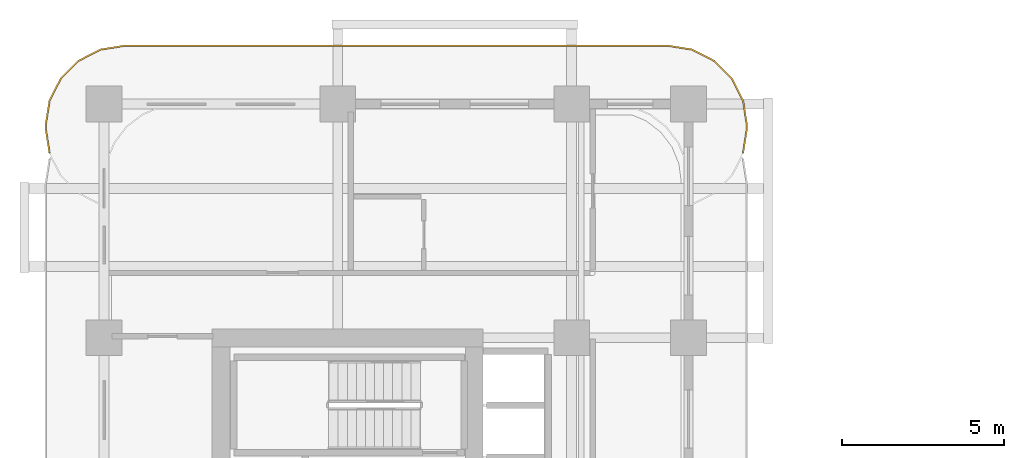
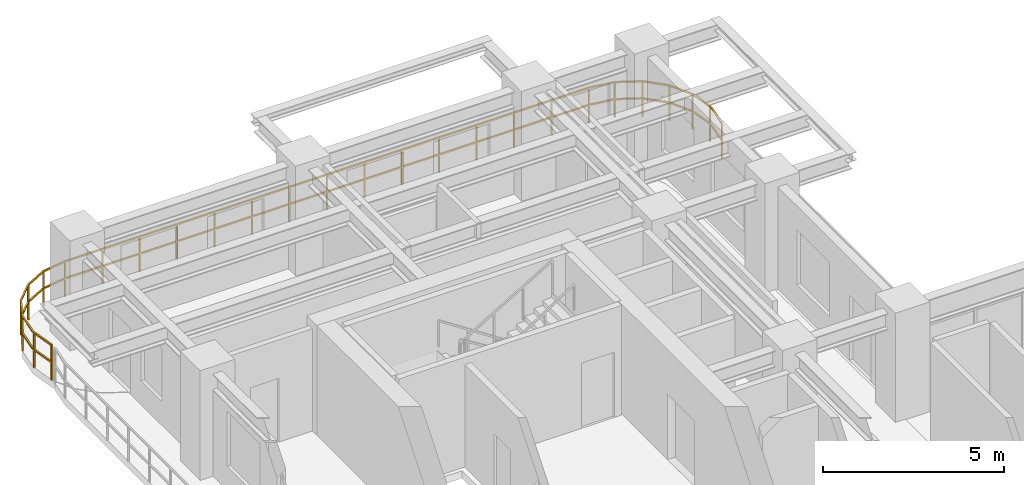
# One storey, part 22 of 22: 1 railing.
"""IFC4 building model written with IfcOpenShell, lengths in metres."""

from ifc_helpers import new_model, si_unit, derived_unit, direction, frame, origin, origin_2d, place, context, subcontext, project, spatial, rectangle, extrude, material, type_object, element, save


model = new_model("IFC4")

# Units and contexts
model_context = context("Model", 3, precision=1e-05, world=origin(), true_north=direction((0.0, 1.0)))
body_context = subcontext(model_context, "Body", "Model", "MODEL_VIEW")
ifc_project = project(units=[si_unit("LENGTHUNIT", "METRE"), si_unit("AREAUNIT", "SQUARE_METRE"), si_unit("VOLUMEUNIT", "CUBIC_METRE"), si_unit("PLANEANGLEUNIT", "RADIAN"), si_unit("MASSUNIT", "GRAM", prefix="KILO"), si_unit("THERMODYNAMICTEMPERATUREUNIT", "KELVIN"), si_unit("POWERUNIT", "WATT"), derived_unit("THERMALTRANSMITTANCEUNIT", [(si_unit("POWERUNIT", "WATT"), 1), (si_unit("AREAUNIT", "SQUARE_METRE"), -1), (si_unit("THERMODYNAMICTEMPERATUREUNIT", "KELVIN"), -1)])], contexts=[model_context])

# Site, building, storey
site_placement = place(None, origin())
site = spatial("IfcSite", under=ifc_project, at=site_placement, CompositionType="ELEMENT")
building_placement = place(site_placement, origin())
building = spatial("IfcBuilding", under=site, at=building_placement, Name="Zahravan Archway Hotel and Residences", CompositionType="ELEMENT")
storey_placement = place(building_placement, frame((0.0, 0.0, 80.5)))
storey = spatial("IfcBuildingStorey", under=building, at=storey_placement, Name="L19", CompositionType="ELEMENT", Elevation=80.5)

# Railing
ifc_material = material(Name="Bronze & Laminated Glass Balustrade", Category="glass")
railing_type = type_object("IfcRailingType", Name="RL-BAL-1200", PredefinedType="BALUSTRADE", material=ifc_material)
railing_placement = place(storey_placement, frame((-1.68017578125, 45.29296875, 0.0)))
element("IfcRailing", 1, at=railing_placement, inside=storey, type_object=railing_type, Name="L19 Balustrade RL-SLB-BAL-L19-NB-1", PredefinedType="BALUSTRADE", context=body_context, shape_type="SweptSolid", body=[
    extrude(rectangle(XDim=0.048095703125, YDim=0.048095703125, at=origin_2d()), frame((0.0, 0.0, 1.17578125), z_axis=(-0.156387811283, 0.987695728695, 0.0), x_axis=(-0.987695728695, -0.156387811283, 0.0)), (0.0, 0.0, 1.0), 0.7666015625),
    extrude(rectangle(XDim=0.048095703125, YDim=0.048095703125, at=origin_2d()), frame((0.0, 0.0, 0.60009765625), z_axis=(-0.156387811283, 0.987695728695, 0.0), x_axis=(-0.987695728695, -0.156387811283, 0.0)), (0.0, 0.0, 1.0), 0.7666015625),
    extrude(rectangle(XDim=0.048095703125, YDim=0.048095703125, at=origin_2d()), frame((-0.119873046875, 0.757080078125, 1.17578125), z_axis=(0.0, 1.0, 0.0), x_axis=(-1.0, 0.0, 0.0)), (0.0, 0.0, 1.0), 0.099853515625),
    extrude(rectangle(XDim=0.048095703125, YDim=0.048095703125, at=origin_2d()), frame((-0.119873046875, 0.757080078125, 0.60009765625), z_axis=(0.0, 1.0, 0.0), x_axis=(-1.0, 0.0, 0.0)), (0.0, 0.0, 1.0), 0.099853515625),
    extrude(rectangle(XDim=0.048095703125, YDim=0.048095703125, at=origin_2d()), frame((-0.119873046875, 0.85693359375, 1.17578125), z_axis=(0.156387811283, 0.987695728695, 0.0), x_axis=(-0.987695728695, 0.156387811283, 0.0)), (0.0, 0.0, 1.0), 0.7666015625),
    extrude(rectangle(XDim=0.048095703125, YDim=0.048095703125, at=origin_2d()), frame((-0.119873046875, 0.85693359375, 0.60009765625), z_axis=(0.156387811283, 0.987695728695, 0.0), x_axis=(-0.987695728695, 0.156387811283, 0.0)), (0.0, 0.0, 1.0), 0.7666015625),
    extrude(rectangle(XDim=0.048095703125, YDim=0.048095703125, at=origin_2d()), frame((0.0, 1.614013671875, 1.17578125), z_axis=(0.454078418624, 0.890961721815, 0.0), x_axis=(-0.890961721815, 0.454078418624, 0.0)), (0.0, 0.0, 1.0), 0.7666015625),
    extrude(rectangle(XDim=0.048095703125, YDim=0.048095703125, at=origin_2d()), frame((0.0, 1.614013671875, 0.60009765625), z_axis=(0.454078418624, 0.890961721815, 0.0), x_axis=(-0.890961721815, 0.454078418624, 0.0)), (0.0, 0.0, 1.0), 0.7666015625),
    extrude(rectangle(XDim=0.048095703125, YDim=0.048095703125, at=origin_2d()), frame((0.34814453125, 2.297119140625, 1.17578125), z_axis=(0.707106781187, 0.707106781187, 0.0), x_axis=(-0.707106781187, 0.707106781187, 0.0)), (0.0, 0.0, 1.0), 0.7666015625),
    extrude(rectangle(XDim=0.048095703125, YDim=0.048095703125, at=origin_2d()), frame((0.34814453125, 2.297119140625, 0.60009765625), z_axis=(0.707106781187, 0.707106781187, 0.0), x_axis=(-0.707106781187, 0.707106781187, 0.0)), (0.0, 0.0, 1.0), 0.7666015625),
    extrude(rectangle(XDim=0.048095703125, YDim=0.048095703125, at=origin_2d()), frame((0.89013671875, 2.839111328125, 1.17578125), z_axis=(0.891024909783, 0.453954414172, 0.0), x_axis=(-0.453954414172, 0.891024909783, 0.0)), (0.0, 0.0, 1.0), 0.766357421875),
    extrude(rectangle(XDim=0.048095703125, YDim=0.048095703125, at=origin_2d()), frame((0.89013671875, 2.839111328125, 0.60009765625), z_axis=(0.891024909783, 0.453954414172, 0.0), x_axis=(-0.453954414172, 0.891024909783, 0.0)), (0.0, 0.0, 1.0), 0.766357421875),
    extrude(rectangle(XDim=0.048095703125, YDim=0.048095703125, at=origin_2d()), frame((1.572998046875, 3.18701171875, 1.17578125), z_axis=(0.987646484274, 0.156698507018, 0.0), x_axis=(-0.156698507018, 0.987646484274, 0.0)), (0.0, 0.0, 1.0), 0.7666015625),
    extrude(rectangle(XDim=0.048095703125, YDim=0.048095703125, at=origin_2d()), frame((1.572998046875, 3.18701171875, 0.60009765625), z_axis=(0.987646484274, 0.156698507018, 0.0), x_axis=(-0.156698507018, 0.987646484274, 0.0)), (0.0, 0.0, 1.0), 0.7666015625),
    extrude(rectangle(XDim=0.048095703125, YDim=0.048095703125, at=origin_2d()), frame((2.330078125, 3.30712890625, 1.17578125), z_axis=(1.0, 0.0, 0.0), x_axis=(0.0, 1.0, 0.0)), (0.0, 0.0, 1.0), 16.7001953125),
    extrude(rectangle(XDim=0.048095703125, YDim=0.048095703125, at=origin_2d()), frame((2.330078125, 3.30712890625, 0.60009765625), z_axis=(1.0, 0.0, 0.0), x_axis=(0.0, 1.0, 0.0)), (0.0, 0.0, 1.0), 16.7001953125),
    extrude(rectangle(XDim=0.048095703125, YDim=0.048095703125, at=origin_2d()), frame((19.0302734375, 3.30712890625, 1.17578125), z_axis=(0.987646484274, -0.156698507018, 0.0), x_axis=(0.156698507018, 0.987646484274, 0.0)), (0.0, 0.0, 1.0), 0.7666015625),
    extrude(rectangle(XDim=0.048095703125, YDim=0.048095703125, at=origin_2d()), frame((19.0302734375, 3.30712890625, 0.60009765625), z_axis=(0.987646484274, -0.156698507018, 0.0), x_axis=(0.156698507018, 0.987646484274, 0.0)), (0.0, 0.0, 1.0), 0.7666015625),
    extrude(rectangle(XDim=0.048095703125, YDim=0.048095703125, at=origin_2d()), frame((19.787353515625, 3.18701171875, 1.17578125), z_axis=(0.891024909783, -0.453954414172, 0.0), x_axis=(0.453954414172, 0.891024909783, 0.0)), (0.0, 0.0, 1.0), 0.766357421875),
    extrude(rectangle(XDim=0.048095703125, YDim=0.048095703125, at=origin_2d()), frame((19.787353515625, 3.18701171875, 0.60009765625), z_axis=(0.891024909783, -0.453954414172, 0.0), x_axis=(0.453954414172, 0.891024909783, 0.0)), (0.0, 0.0, 1.0), 0.766357421875),
    extrude(rectangle(XDim=0.048095703125, YDim=0.048095703125, at=origin_2d()), frame((20.47021484375, 2.839111328125, 1.17578125), z_axis=(0.707106781187, -0.707106781187, 0.0), x_axis=(0.707106781187, 0.707106781187, 0.0)), (0.0, 0.0, 1.0), 0.7666015625),
    extrude(rectangle(XDim=0.048095703125, YDim=0.048095703125, at=origin_2d()), frame((20.47021484375, 2.839111328125, 0.60009765625), z_axis=(0.707106781187, -0.707106781187, 0.0), x_axis=(0.707106781187, 0.707106781187, 0.0)), (0.0, 0.0, 1.0), 0.7666015625),
    extrude(rectangle(XDim=0.048095703125, YDim=0.048095703125, at=origin_2d()), frame((21.01220703125, 2.297119140625, 1.17578125), z_axis=(0.454078418624, -0.890961721815, 0.0), x_axis=(0.890961721815, 0.454078418624, 0.0)), (0.0, 0.0, 1.0), 0.7666015625),
    extrude(rectangle(XDim=0.048095703125, YDim=0.048095703125, at=origin_2d()), frame((21.01220703125, 2.297119140625, 0.60009765625), z_axis=(0.454078418624, -0.890961721815, 0.0), x_axis=(0.890961721815, 0.454078418624, 0.0)), (0.0, 0.0, 1.0), 0.7666015625),
    extrude(rectangle(XDim=0.048095703125, YDim=0.048095703125, at=origin_2d()), frame((21.3603515625, 1.614013671875, 1.17578125), z_axis=(0.156387811283, -0.987695728695, 0.0), x_axis=(0.987695728695, 0.156387811283, 0.0)), (0.0, 0.0, 1.0), 0.7666015625),
    extrude(rectangle(XDim=0.048095703125, YDim=0.048095703125, at=origin_2d()), frame((21.3603515625, 1.614013671875, 0.60009765625), z_axis=(0.156387811283, -0.987695728695, 0.0), x_axis=(0.987695728695, 0.156387811283, 0.0)), (0.0, 0.0, 1.0), 0.7666015625),
    extrude(rectangle(XDim=0.048095703125, YDim=0.048095703125, at=origin_2d()), frame((21.480224609375, 0.85693359375, 1.17578125), z_axis=(0.0, -1.0, 0.0), x_axis=(1.0, 0.0, 0.0)), (0.0, 0.0, 1.0), 0.099853515625),
    extrude(rectangle(XDim=0.048095703125, YDim=0.048095703125, at=origin_2d()), frame((21.480224609375, 0.85693359375, 0.60009765625), z_axis=(0.0, -1.0, 0.0), x_axis=(1.0, 0.0, 0.0)), (0.0, 0.0, 1.0), 0.099853515625),
    extrude(rectangle(XDim=0.048095703125, YDim=0.048095703125, at=origin_2d()), frame((21.480224609375, 0.757080078125, 1.17578125), z_axis=(-0.156387811283, -0.987695728695, 0.0), x_axis=(0.987695728695, -0.156387811283, 0.0)), (0.0, 0.0, 1.0), 0.7666015625),
    extrude(rectangle(XDim=0.048095703125, YDim=0.048095703125, at=origin_2d()), frame((21.480224609375, 0.757080078125, 0.60009765625), z_axis=(-0.156387811283, -0.987695728695, 0.0), x_axis=(0.987695728695, -0.156387811283, 0.0)), (0.0, 0.0, 1.0), 0.7666015625),
    extrude(rectangle(XDim=0.0419921875, YDim=0.0419921875, at=origin_2d()), origin(), (0.0, 0.0, 1.0), 1.15185546875),
    extrude(rectangle(XDim=0.0419921875, YDim=0.0419921875, at=origin_2d()), frame((-0.119873046875, 0.757080078125, 0.0)), (0.0, 0.0, 1.0), 1.15185546875),
    extrude(rectangle(XDim=0.0419921875, YDim=0.0419921875, at=origin_2d()), frame((0.0, 1.614013671875, 0.0)), (0.0, 0.0, 1.0), 1.15185546875),
    extrude(rectangle(XDim=0.0419921875, YDim=0.0419921875, at=origin_2d()), frame((0.34814453125, 2.297119140625, 0.0)), (0.0, 0.0, 1.0), 1.15185546875),
    extrude(rectangle(XDim=0.0419921875, YDim=0.0419921875, at=origin_2d()), frame((0.89013671875, 2.839111328125, 0.0)), (0.0, 0.0, 1.0), 1.15185546875),
    extrude(rectangle(XDim=0.0419921875, YDim=0.0419921875, at=origin_2d()), frame((1.572998046875, 3.18701171875, 0.0)), (0.0, 0.0, 1.0), 1.15185546875),
    extrude(rectangle(XDim=0.0419921875, YDim=0.0419921875, at=origin_2d()), frame((2.330078125, 3.30712890625, 0.0)), (0.0, 0.0, 1.0), 1.15185546875),
    extrude(rectangle(XDim=0.0419921875, YDim=0.0419921875, at=origin_2d()), frame((3.52294921875, 3.30712890625, 0.0)), (0.0, 0.0, 1.0), 1.15185546875),
    extrude(rectangle(XDim=0.0419921875, YDim=0.0419921875, at=origin_2d()), frame((4.7158203125, 3.30712890625, 0.0)), (0.0, 0.0, 1.0), 1.15185546875),
    extrude(rectangle(XDim=0.0419921875, YDim=0.0419921875, at=origin_2d()), frame((5.90869140625, 3.30712890625, 0.0)), (0.0, 0.0, 1.0), 1.15185546875),
    extrude(rectangle(XDim=0.0419921875, YDim=0.0419921875, at=origin_2d()), frame((7.1015625, 3.30712890625, 0.0)), (0.0, 0.0, 1.0), 1.15185546875),
    extrude(rectangle(XDim=0.0419921875, YDim=0.0419921875, at=origin_2d()), frame((8.29443359375, 3.30712890625, 0.0)), (0.0, 0.0, 1.0), 1.15185546875),
    extrude(rectangle(XDim=0.0419921875, YDim=0.0419921875, at=origin_2d()), frame((9.4873046875, 3.30712890625, 0.0)), (0.0, 0.0, 1.0), 1.15185546875),
    extrude(rectangle(XDim=0.0419921875, YDim=0.0419921875, at=origin_2d()), frame((10.68017578125, 3.30712890625, 0.0)), (0.0, 0.0, 1.0), 1.15185546875),
    extrude(rectangle(XDim=0.0419921875, YDim=0.0419921875, at=origin_2d()), frame((11.873046875, 3.30712890625, 0.0)), (0.0, 0.0, 1.0), 1.15185546875),
    extrude(rectangle(XDim=0.0419921875, YDim=0.0419921875, at=origin_2d()), frame((13.06591796875, 3.30712890625, 0.0)), (0.0, 0.0, 1.0), 1.15185546875),
    extrude(rectangle(XDim=0.0419921875, YDim=0.0419921875, at=origin_2d()), frame((14.2587890625, 3.30712890625, 0.0)), (0.0, 0.0, 1.0), 1.15185546875),
    extrude(rectangle(XDim=0.0419921875, YDim=0.0419921875, at=origin_2d()), frame((15.45166015625, 3.30712890625, 0.0)), (0.0, 0.0, 1.0), 1.15185546875),
    extrude(rectangle(XDim=0.0419921875, YDim=0.0419921875, at=origin_2d()), frame((16.64453125, 3.30712890625, 0.0)), (0.0, 0.0, 1.0), 1.15185546875),
    extrude(rectangle(XDim=0.0419921875, YDim=0.0419921875, at=origin_2d()), frame((17.83740234375, 3.30712890625, 0.0)), (0.0, 0.0, 1.0), 1.15185546875),
    extrude(rectangle(XDim=0.0419921875, YDim=0.0419921875, at=origin_2d()), frame((19.0302734375, 3.30712890625, 0.0)), (0.0, 0.0, 1.0), 1.15185546875),
    extrude(rectangle(XDim=0.0419921875, YDim=0.0419921875, at=origin_2d()), frame((19.787353515625, 3.18701171875, 0.0)), (0.0, 0.0, 1.0), 1.15185546875),
    extrude(rectangle(XDim=0.0419921875, YDim=0.0419921875, at=origin_2d()), frame((20.47021484375, 2.839111328125, 0.0)), (0.0, 0.0, 1.0), 1.15185546875),
    extrude(rectangle(XDim=0.0419921875, YDim=0.0419921875, at=origin_2d()), frame((21.01220703125, 2.297119140625, 0.0)), (0.0, 0.0, 1.0), 1.15185546875),
    extrude(rectangle(XDim=0.0419921875, YDim=0.0419921875, at=origin_2d()), frame((21.3603515625, 1.614013671875, 0.0)), (0.0, 0.0, 1.0), 1.15185546875),
    extrude(rectangle(XDim=0.0419921875, YDim=0.0419921875, at=origin_2d()), frame((21.480224609375, 0.85693359375, 0.0)), (0.0, 0.0, 1.0), 1.15185546875),
    extrude(rectangle(XDim=0.0419921875, YDim=0.0419921875, at=origin_2d()), frame((21.3603515625, 0.0, 0.0)), (0.0, 0.0, 1.0), 1.15185546875),
])

save(model, "model.ifc")
